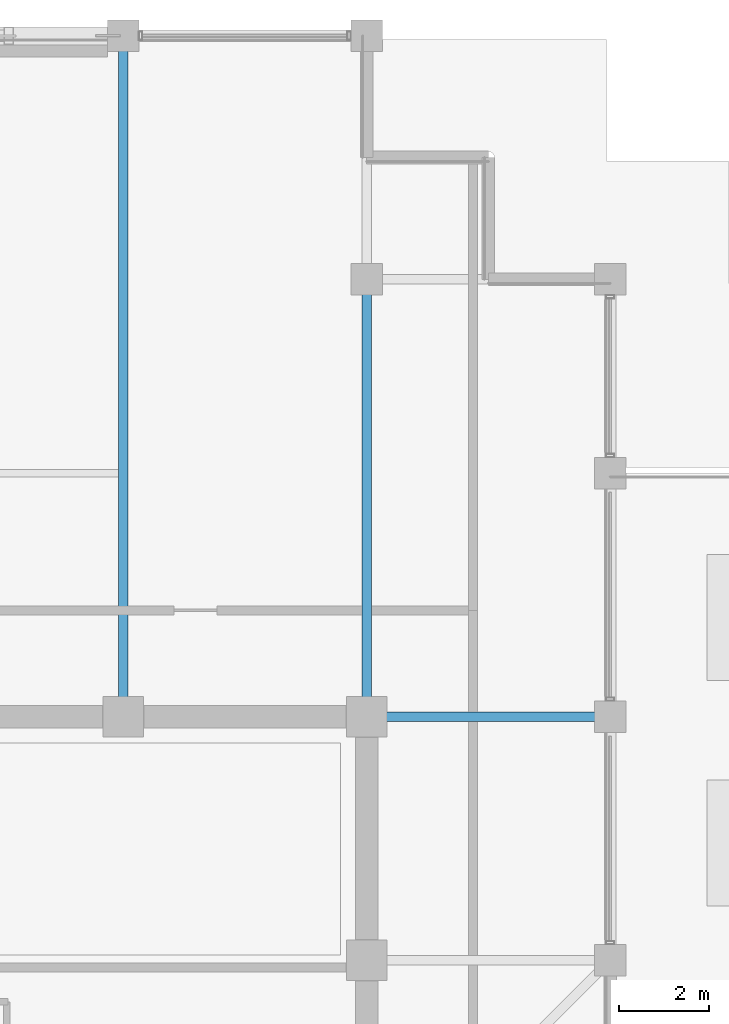
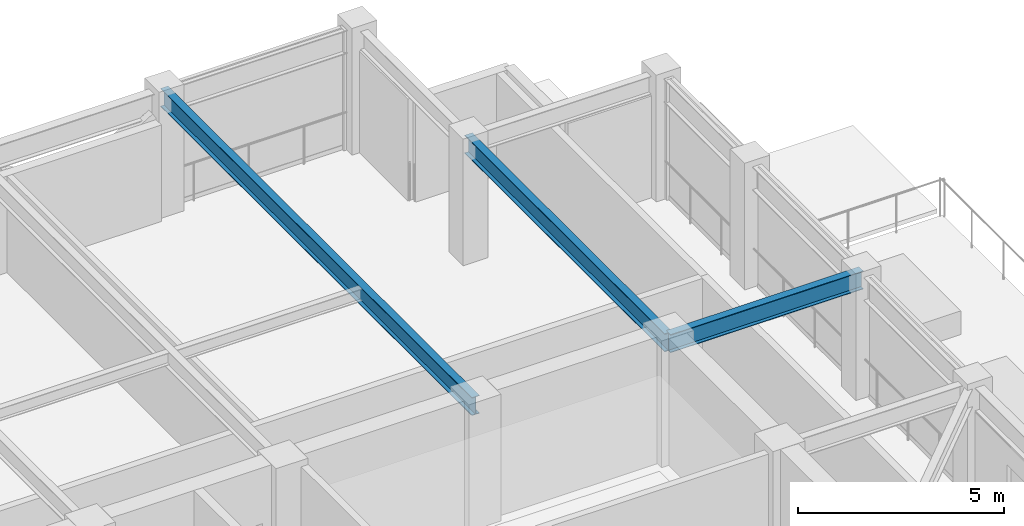
# One storey, part 20 of 34: 3 beams.
"""IFC4 building model written with IfcOpenShell, lengths in metres."""

from ifc_helpers import new_model, si_unit, direction, frame, origin, origin_2d, place, context, subcontext, project, spatial, i_section, extrude, material, material_profile, profile_set, type_object, element, save


model = new_model("IFC4")

# Units and contexts
model_context = context("Model", 3, precision=1e-05, world=origin(), true_north=direction((0.0, 1.0)))
body_context = subcontext(model_context, "Body", "Model", "MODEL_VIEW")
ifc_project = project(units=[si_unit("LENGTHUNIT", "METRE"), si_unit("AREAUNIT", "SQUARE_METRE"), si_unit("VOLUMEUNIT", "CUBIC_METRE"), si_unit("PLANEANGLEUNIT", "RADIAN"), si_unit("MASSUNIT", "GRAM", prefix="KILO")], contexts=[model_context])

# Site, building, storey
site_placement = place(None, origin())
site = spatial("IfcSite", under=ifc_project, at=site_placement, CompositionType="ELEMENT")
building_placement = place(site_placement, origin())
building = spatial("IfcBuilding", under=site, at=building_placement, Name="Surkhivell Harbour Commons", CompositionType="ELEMENT")
storey_placement = place(building_placement, frame((0.0, 0.0, 258.75)))
storey = spatial("IfcBuildingStorey", under=building, at=storey_placement, Name="L67", CompositionType="ELEMENT", Elevation=258.75)

# Beams
ifc_material = material(Name="Steel S355", Category="steel")
ifc_material_profile = material_profile(ifc_material, i_section(OverallWidth=0.2099609375, OverallDepth=0.537109375, WebThickness=0.0107421875, FlangeThickness=0.017333984375, at=origin_2d()), Name="UB533x210x101")
ifc_profile_set = profile_set([ifc_material_profile], Name="Steel S355")
beam_type = type_object("IfcBeamType", Name="BM-GRD-533B", PredefinedType="BEAM", material=ifc_profile_set)
beam_1_placement = place(storey_placement, frame((5.39990234375, 10.800048828125, 3.301513671875), z_axis=(0.0, 1.0, 0.0), x_axis=(-1.0, 0.0, 0.0)))
element("IfcBeam", 1, at=beam_1_placement, inside=storey, type_object=beam_type, Name="L67 Floor Girder (5.4,10.8)", PredefinedType="BEAM", context=body_context, shape_type="SweptSolid", body=[
    extrude(i_section(OverallWidth=0.2099609375, OverallDepth=0.537109375, WebThickness=0.0107421875, FlangeThickness=0.017333984375, at=origin_2d()), origin(), (0.0, 0.0, 1.0), 15.099853515625),
])
beam_2_placement = place(storey_placement, frame((10.800048828125, 10.800048828125, 3.301513671875), z_axis=(0.0, 1.0, 0.0), x_axis=(-1.0, 0.0, 0.0)))
element("IfcBeam", 2, at=beam_2_placement, inside=storey, type_object=beam_type, Name="L67 Floor Girder (10.8,10.8)", PredefinedType="BEAM", context=body_context, shape_type="SweptSolid", body=[
    extrude(i_section(OverallWidth=0.2099609375, OverallDepth=0.537109375, WebThickness=0.0107421875, FlangeThickness=0.017333984375, at=origin_2d()), origin(), (0.0, 0.0, 1.0), 9.699951171875),
])
beam_3_placement = place(storey_placement, frame((10.800048828125, 10.800048828125, 3.301513671875), z_axis=(1.0, 0.0, 0.0), x_axis=(0.0, 1.0, 0.0)))
element("IfcBeam", 3, at=beam_3_placement, inside=storey, type_object=beam_type, Name="L67 Floor Girder (10.8,10.8)", PredefinedType="BEAM", context=body_context, shape_type="SweptSolid", body=[
    extrude(i_section(OverallWidth=0.2099609375, OverallDepth=0.537109375, WebThickness=0.0107421875, FlangeThickness=0.017333984375, at=origin_2d()), origin(), (0.0, 0.0, 1.0), 5.39990234375),
])

save(model, "model.ifc")
